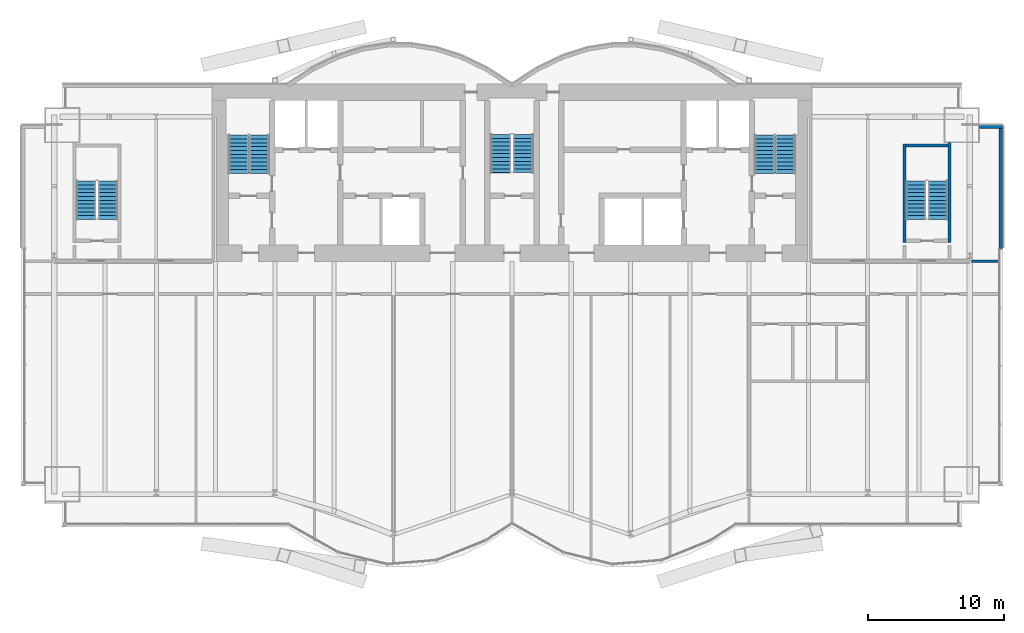
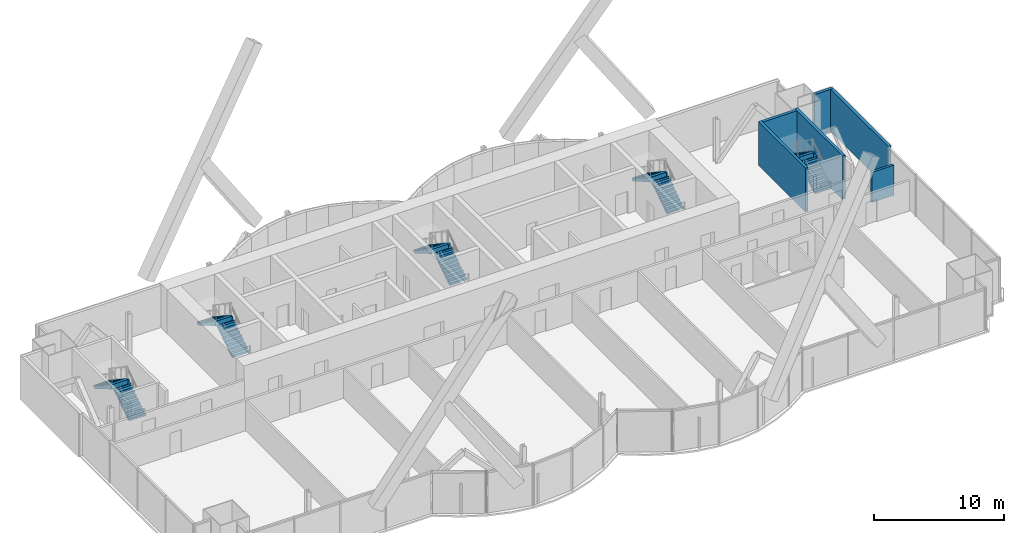
# One storey, part 19 of 22: 10 stair flights, 6 walls, 5 elements without a shape of their own.
"""IFC4 building model written with IfcOpenShell, lengths in metres."""

from ifc_helpers import new_model, si_unit, direction, frame, frame_2d, origin, place, context, subcontext, project, spatial, polyline, rectangle, outline, extrude, material, layer, layer_set, layer_usage, type_object, element, aggregate, save


model = new_model("IFC4")

# Units and contexts
model_context = context("Model", 3, precision=1e-05, world=origin(), true_north=direction((0.0, 1.0)))
body_context = subcontext(model_context, "Body", "Model", "MODEL_VIEW")
ifc_project = project(units=[si_unit("LENGTHUNIT", "METRE"), si_unit("AREAUNIT", "SQUARE_METRE"), si_unit("VOLUMEUNIT", "CUBIC_METRE"), si_unit("PLANEANGLEUNIT", "RADIAN"), si_unit("MASSUNIT", "GRAM", prefix="KILO")], contexts=[model_context])

# Site, building, storey
site_placement = place(None, origin())
site = spatial("IfcSite", under=ifc_project, at=site_placement, CompositionType="ELEMENT")
building_placement = place(site_placement, origin())
building = spatial("IfcBuilding", under=site, at=building_placement, Name="Bicima Exchange Tower", CompositionType="ELEMENT")
storey_placement = place(building_placement, frame((0.0, 0.0, 203.199951171875)))
storey = spatial("IfcBuildingStorey", under=building, at=storey_placement, Name="L45", CompositionType="ELEMENT", Elevation=203.199951171875)

# Walls
ifc_material_1 = material(Name="Gypsum board partition")
ifc_layer_1 = layer(ifc_material_1, 0.199951171875)
ifc_layer_set_1 = layer_set([ifc_layer_1], Name="Gypsum board partition")
wall_type_1 = type_object("IfcWallType", Name="Fire-rated gypsum partition 200 EI60", PredefinedType="PARTITIONING", material=ifc_layer_set_1)
wall_1_placement = place(storey_placement, frame((33.719970703125, -13.0, 0.0), z_axis=(0.0, 0.0, 1.0), x_axis=(1.0, 0.0, 0.0)))
element("IfcWall", 1, at=wall_1_placement, inside=storey, type_object=wall_type_1, Name="partition wall 7", PredefinedType="PARTITIONING", context=body_context, shape_type="SweptSolid", body=[
    extrude(rectangle(XDim=1.9599609375, YDim=0.199951171875, at=frame_2d((0.97998046875, 0.0))), origin(), (0.0, 0.0, 1.0), 2.84033203125),
])
ifc_material_2 = material(Name="Concrete C50/60", Category="concrete")
ifc_layer_2 = layer(ifc_material_2, 0.25)
ifc_layer_set_2 = layer_set([ifc_layer_2], Name="Concrete C50/60")
wall_type_2 = type_object("IfcWallType", Name="RC stair enclosure wall 250 C50/60", PredefinedType="SHEAR", material=ifc_layer_set_2)
wall_2_placement = place(storey_placement, frame((28.800048828125, -11.625, 0.0), z_axis=(0.0, 0.0, 1.0), x_axis=(0.0, 1.0, 0.0)))
element("IfcWall", 2, at=wall_2_placement, inside=storey, type_object=wall_type_2, Name="East end exit stair wall W", PredefinedType="SHEAR", context=body_context, shape_type="SweptSolid", body=[
    extrude(rectangle(XDim=7.25, YDim=0.25, at=frame_2d((3.625, 0.0))), origin(), (0.0, 0.0, 1.0), 4.10009765625),
])
wall_3_placement = place(storey_placement, frame((32.10009765625, -11.625, 0.0), z_axis=(0.0, 0.0, 1.0), x_axis=(0.0, 1.0, 0.0)))
element("IfcWall", 3, at=wall_3_placement, inside=storey, type_object=wall_type_2, Name="East end exit stair wall E", PredefinedType="SHEAR", context=body_context, shape_type="SweptSolid", body=[
    extrude(rectangle(XDim=7.324951171875, YDim=0.25, at=frame_2d((3.66259765625, 0.0))), origin(), (0.0, 0.0, 1.0), 4.10009765625),
])
wall_4_placement = place(storey_placement, frame((28.925048828125, -4.5, 0.0), z_axis=(0.0, 0.0, 1.0), x_axis=(1.0, 0.0, 0.0)))
element("IfcWall", 4, at=wall_4_placement, inside=storey, type_object=wall_type_2, Name="East end exit stair wall N", PredefinedType="SHEAR", context=body_context, shape_type="SweptSolid", body=[
    extrude(rectangle(XDim=3.050048828125, YDim=0.25, at=frame_2d((1.52490234375, 0.0))), origin(), (0.0, 0.0, 1.0), 4.10009765625),
])
ifc_material_3 = material(Name="Concrete C40/50", Category="concrete")
ifc_layer_3 = layer(ifc_material_3, 0.25)
ifc_layer_set_3 = layer_set([ifc_layer_3], Name="Concrete C40/50")
ifc_layer_usage = layer_usage(ifc_layer_set_3, "AXIS2", "POSITIVE", -0.125)
wall_type_3 = type_object("IfcWallType", Name="Rear backup wall 250", PredefinedType="STANDARD", material=ifc_layer_set_3)
wall_5_placement = place(storey_placement, frame((35.875, -12.090087890625, 0.0), z_axis=(0.0, 0.0, 1.0), x_axis=(0.0, 1.0, 0.0)))
element("IfcWall", 5, at=wall_5_placement, inside=storey, type_object=wall_type_3, material=ifc_layer_usage, Name="Rear backup wall L45 50", PredefinedType="STANDARD", context=body_context, shape_type="SweptSolid", body=[
    extrude(rectangle(XDim=9.090087890625, YDim=0.25, at=frame_2d((4.544921875, 0.0))), origin(), (0.0, 0.0, 1.0), 3.949951171875),
])
wall_6_placement = place(storey_placement, frame((36.0, -3.125, 0.0), z_axis=(0.0, 0.0, 1.0), x_axis=(-1.0, 0.0, 0.0)))
element("IfcWall", 6, at=wall_6_placement, inside=storey, type_object=wall_type_3, material=ifc_layer_usage, Name="Rear backup wall L45 51", PredefinedType="STANDARD", context=body_context, shape_type="SweptSolid", body=[
    extrude(rectangle(XDim=1.699951171875, YDim=0.25, at=frame_2d((0.85009765625, 0.0))), origin(), (0.0, 0.0, 1.0), 3.949951171875),
])

# Stair, stair flights
stair_type_1 = type_object("IfcStairType", Name="Exit stair", PredefinedType="HALF_TURN_STAIR", material=ifc_material_2)
stair_1_placement = place(storey_placement, origin())
stair_1 = element("IfcStair", 7, at=stair_1_placement, inside=storey, type_object=stair_type_1, Name="L45 West exit stair", PredefinedType="HALF_TURN_STAIR")
stair_flight_type_1 = type_object("IfcStairFlightType", Name="Stair flight RC", PredefinedType="STRAIGHT", material=ifc_material_2)
stair_flight_1_placement = place(storey_placement, frame((-18.52490234375, -6.550048828125, 0.0), z_axis=(0.0, 0.0, 1.0), x_axis=(0.0, 1.0, 0.0)))
stair_flight_1 = element("IfcStairFlight", 8, at=stair_flight_1_placement, type_object=stair_flight_type_1, Name="ST-W flight 1", NumberOfRisers=11, NumberOfTreads=10, PredefinedType="STRAIGHT", RiserHeight=0.186363636, TreadLength=0.28, context=body_context, shape_type="SweptSolid", body=[
    extrude(outline(polyline([(0.0, 0.0), (0.0, 0.186279296875), (0.280029296875, 0.186279296875), (0.280029296875, 0.372802734375), (0.56005859375, 0.372802734375), (0.56005859375, 0.55908203125), (0.840087890625, 0.55908203125), (0.840087890625, 0.745361328125), (1.1201171875, 0.745361328125), (1.1201171875, 0.931884765625), (1.39990234375, 0.931884765625), (1.39990234375, 1.1181640625), (1.679931640625, 1.1181640625), (1.679931640625, 1.304443359375), (1.9599609375, 1.304443359375), (1.9599609375, 1.490966796875), (2.239990234375, 1.490966796875), (2.239990234375, 1.67724609375), (2.52001953125, 1.67724609375), (2.52001953125, 1.863525390625), (2.800048828125, 1.863525390625), (2.800048828125, 2.050048828125), (2.800048828125, 1.68359375), (0.2705078125, 0.0), (0.0, 0.0)])), frame((0.0, 0.72509765625, 0.0), z_axis=(0.0, -1.0, 0.0), x_axis=(1.0, 0.0, 0.0)), (0.0, 0.0, 1.0), 1.449951171875),
])
stair_flight_2_placement = place(storey_placement, frame((-20.074951171875, -3.75, 2.050048828125), z_axis=(0.0, 0.0, 1.0), x_axis=(0.0, -1.0, 0.0)))
stair_flight_2 = element("IfcStairFlight", 9, at=stair_flight_2_placement, type_object=stair_flight_type_1, Name="ST-W flight 2", NumberOfRisers=11, NumberOfTreads=10, PredefinedType="STRAIGHT", RiserHeight=0.186363636, TreadLength=0.28, context=body_context, shape_type="SweptSolid", body=[
    extrude(outline(polyline([(0.0, 0.0), (0.0, 0.186279296875), (0.280029296875, 0.186279296875), (0.280029296875, 0.372802734375), (0.56005859375, 0.372802734375), (0.56005859375, 0.55908203125), (0.840087890625, 0.55908203125), (0.840087890625, 0.745361328125), (1.1201171875, 0.745361328125), (1.1201171875, 0.931884765625), (1.39990234375, 0.931884765625), (1.39990234375, 1.1181640625), (1.679931640625, 1.1181640625), (1.679931640625, 1.304443359375), (1.9599609375, 1.304443359375), (1.9599609375, 1.490966796875), (2.239990234375, 1.490966796875), (2.239990234375, 1.67724609375), (2.52001953125, 1.67724609375), (2.52001953125, 1.863525390625), (2.800048828125, 1.863525390625), (2.800048828125, 1.904052734375), (2.81494140625, 1.904052734375), (2.81494140625, 1.507080078125), (0.2705078125, 0.0), (0.0, 0.0)])), frame((0.0, 0.72509765625, 0.0), z_axis=(0.0, -1.0, 0.0), x_axis=(1.0, 0.0, 0.0)), (0.0, 0.0, 1.0), 1.449951171875),
])
aggregate(stair_1, [stair_flight_1, stair_flight_2])

stair_2_placement = place(storey_placement, origin())
stair_2 = element("IfcStair", 10, at=stair_2_placement, inside=storey, type_object=stair_type_1, Name="L45 East exit stair", PredefinedType="HALF_TURN_STAIR")
stair_flight_3_placement = place(storey_placement, frame((20.074951171875, -6.550048828125, 0.0), z_axis=(0.0, 0.0, 1.0), x_axis=(0.0, 1.0, 0.0)))
stair_flight_3 = element("IfcStairFlight", 11, at=stair_flight_3_placement, type_object=stair_flight_type_1, Name="ST-E flight 1", NumberOfRisers=11, NumberOfTreads=10, PredefinedType="STRAIGHT", RiserHeight=0.186363636, TreadLength=0.28, context=body_context, shape_type="SweptSolid", body=[
    extrude(outline(polyline([(0.0, 0.0), (0.0, 0.186279296875), (0.280029296875, 0.186279296875), (0.280029296875, 0.372802734375), (0.56005859375, 0.372802734375), (0.56005859375, 0.55908203125), (0.840087890625, 0.55908203125), (0.840087890625, 0.745361328125), (1.1201171875, 0.745361328125), (1.1201171875, 0.931884765625), (1.39990234375, 0.931884765625), (1.39990234375, 1.1181640625), (1.679931640625, 1.1181640625), (1.679931640625, 1.304443359375), (1.9599609375, 1.304443359375), (1.9599609375, 1.490966796875), (2.239990234375, 1.490966796875), (2.239990234375, 1.67724609375), (2.52001953125, 1.67724609375), (2.52001953125, 1.863525390625), (2.800048828125, 1.863525390625), (2.800048828125, 2.050048828125), (2.800048828125, 1.68359375), (0.2705078125, 0.0), (0.0, 0.0)])), frame((0.0, 0.72509765625, 0.0), z_axis=(0.0, -1.0, 0.0), x_axis=(1.0, 0.0, 0.0)), (0.0, 0.0, 1.0), 1.449951171875),
])
stair_flight_4_placement = place(storey_placement, frame((18.52490234375, -3.75, 2.050048828125), z_axis=(0.0, 0.0, 1.0), x_axis=(0.0, -1.0, 0.0)))
stair_flight_4 = element("IfcStairFlight", 12, at=stair_flight_4_placement, type_object=stair_flight_type_1, Name="ST-E flight 2", NumberOfRisers=11, NumberOfTreads=10, PredefinedType="STRAIGHT", RiserHeight=0.186363636, TreadLength=0.28, context=body_context, shape_type="SweptSolid", body=[
    extrude(outline(polyline([(0.0, 0.0), (0.0, 0.186279296875), (0.280029296875, 0.186279296875), (0.280029296875, 0.372802734375), (0.56005859375, 0.372802734375), (0.56005859375, 0.55908203125), (0.840087890625, 0.55908203125), (0.840087890625, 0.745361328125), (1.1201171875, 0.745361328125), (1.1201171875, 0.931884765625), (1.39990234375, 0.931884765625), (1.39990234375, 1.1181640625), (1.679931640625, 1.1181640625), (1.679931640625, 1.304443359375), (1.9599609375, 1.304443359375), (1.9599609375, 1.490966796875), (2.239990234375, 1.490966796875), (2.239990234375, 1.67724609375), (2.52001953125, 1.67724609375), (2.52001953125, 1.863525390625), (2.800048828125, 1.863525390625), (2.800048828125, 1.904052734375), (2.81494140625, 1.904052734375), (2.81494140625, 1.507080078125), (0.2705078125, 0.0), (0.0, 0.0)])), frame((0.0, 0.72509765625, 0.0), z_axis=(0.0, -1.0, 0.0), x_axis=(1.0, 0.0, 0.0)), (0.0, 0.0, 1.0), 1.449951171875),
])
aggregate(stair_2, [stair_flight_3, stair_flight_4])

stair_3_placement = place(storey_placement, origin())
stair_3 = element("IfcStair", 13, at=stair_3_placement, inside=storey, type_object=stair_type_1, Name="L45 West end exit stair", PredefinedType="HALF_TURN_STAIR")
stair_flight_5_placement = place(storey_placement, frame((-29.64990234375, -9.925048828125, 0.0), z_axis=(0.0, 0.0, 1.0), x_axis=(0.0, 1.0, 0.0)))
stair_flight_5 = element("IfcStairFlight", 14, at=stair_flight_5_placement, type_object=stair_flight_type_1, Name="ST-WW flight 1", NumberOfRisers=11, NumberOfTreads=10, PredefinedType="STRAIGHT", RiserHeight=0.186363636, TreadLength=0.28, context=body_context, shape_type="SweptSolid", body=[
    extrude(outline(polyline([(0.0, 0.0), (0.0, 0.186279296875), (0.280029296875, 0.186279296875), (0.280029296875, 0.372802734375), (0.56005859375, 0.372802734375), (0.56005859375, 0.55908203125), (0.840087890625, 0.55908203125), (0.840087890625, 0.745361328125), (1.1201171875, 0.745361328125), (1.1201171875, 0.931884765625), (1.39990234375, 0.931884765625), (1.39990234375, 1.1181640625), (1.679931640625, 1.1181640625), (1.679931640625, 1.304443359375), (1.9599609375, 1.304443359375), (1.9599609375, 1.490966796875), (2.239990234375, 1.490966796875), (2.239990234375, 1.67724609375), (2.52001953125, 1.67724609375), (2.52001953125, 1.863525390625), (2.800048828125, 1.863525390625), (2.800048828125, 2.050048828125), (2.800048828125, 1.68359375), (0.2705078125, 0.0), (0.0, 0.0)])), frame((0.0, 0.72509765625, 0.0), z_axis=(0.0, -1.0, 0.0), x_axis=(1.0, 0.0, 0.0)), (0.0, 0.0, 1.0), 1.449951171875),
])
stair_flight_6_placement = place(storey_placement, frame((-31.25, -7.125, 2.050048828125), z_axis=(0.0, 0.0, 1.0), x_axis=(0.0, -1.0, 0.0)))
stair_flight_6 = element("IfcStairFlight", 15, at=stair_flight_6_placement, type_object=stair_flight_type_1, Name="ST-WW flight 2", NumberOfRisers=11, NumberOfTreads=10, PredefinedType="STRAIGHT", RiserHeight=0.186363636, TreadLength=0.28, context=body_context, shape_type="SweptSolid", body=[
    extrude(outline(polyline([(0.0, 0.0), (0.0, 0.186279296875), (0.280029296875, 0.186279296875), (0.280029296875, 0.372802734375), (0.56005859375, 0.372802734375), (0.56005859375, 0.55908203125), (0.840087890625, 0.55908203125), (0.840087890625, 0.745361328125), (1.1201171875, 0.745361328125), (1.1201171875, 0.931884765625), (1.39990234375, 0.931884765625), (1.39990234375, 1.1181640625), (1.679931640625, 1.1181640625), (1.679931640625, 1.304443359375), (1.9599609375, 1.304443359375), (1.9599609375, 1.490966796875), (2.239990234375, 1.490966796875), (2.239990234375, 1.67724609375), (2.52001953125, 1.67724609375), (2.52001953125, 1.863525390625), (2.800048828125, 1.863525390625), (2.800048828125, 1.904052734375), (2.81494140625, 1.904052734375), (2.81494140625, 1.507080078125), (0.2705078125, 0.0), (0.0, 0.0)])), frame((0.0, 0.72509765625, 0.0), z_axis=(0.0, -1.0, 0.0), x_axis=(1.0, 0.0, 0.0)), (0.0, 0.0, 1.0), 1.449951171875),
])
aggregate(stair_3, [stair_flight_5, stair_flight_6])

stair_4_placement = place(storey_placement, origin())
stair_4 = element("IfcStair", 16, at=stair_4_placement, inside=storey, type_object=stair_type_1, Name="L45 East end exit stair", PredefinedType="HALF_TURN_STAIR")
stair_flight_7_placement = place(storey_placement, frame((31.25, -9.925048828125, 0.0), z_axis=(0.0, 0.0, 1.0), x_axis=(0.0, 1.0, 0.0)))
stair_flight_7 = element("IfcStairFlight", 17, at=stair_flight_7_placement, type_object=stair_flight_type_1, Name="ST-EE flight 1", NumberOfRisers=11, NumberOfTreads=10, PredefinedType="STRAIGHT", RiserHeight=0.186363636, TreadLength=0.28, context=body_context, shape_type="SweptSolid", body=[
    extrude(outline(polyline([(0.0, 0.0), (0.0, 0.186279296875), (0.280029296875, 0.186279296875), (0.280029296875, 0.372802734375), (0.56005859375, 0.372802734375), (0.56005859375, 0.55908203125), (0.840087890625, 0.55908203125), (0.840087890625, 0.745361328125), (1.1201171875, 0.745361328125), (1.1201171875, 0.931884765625), (1.39990234375, 0.931884765625), (1.39990234375, 1.1181640625), (1.679931640625, 1.1181640625), (1.679931640625, 1.304443359375), (1.9599609375, 1.304443359375), (1.9599609375, 1.490966796875), (2.239990234375, 1.490966796875), (2.239990234375, 1.67724609375), (2.52001953125, 1.67724609375), (2.52001953125, 1.863525390625), (2.800048828125, 1.863525390625), (2.800048828125, 2.050048828125), (2.800048828125, 1.68359375), (0.2705078125, 0.0), (0.0, 0.0)])), frame((0.0, 0.72509765625, 0.0), z_axis=(0.0, -1.0, 0.0), x_axis=(1.0, 0.0, 0.0)), (0.0, 0.0, 1.0), 1.449951171875),
])
stair_flight_8_placement = place(storey_placement, frame((29.64990234375, -7.125, 2.050048828125), z_axis=(0.0, 0.0, 1.0), x_axis=(0.0, -1.0, 0.0)))
stair_flight_8 = element("IfcStairFlight", 18, at=stair_flight_8_placement, type_object=stair_flight_type_1, Name="ST-EE flight 2", NumberOfRisers=11, NumberOfTreads=10, PredefinedType="STRAIGHT", RiserHeight=0.186363636, TreadLength=0.28, context=body_context, shape_type="SweptSolid", body=[
    extrude(outline(polyline([(0.0, 0.0), (0.0, 0.186279296875), (0.280029296875, 0.186279296875), (0.280029296875, 0.372802734375), (0.56005859375, 0.372802734375), (0.56005859375, 0.55908203125), (0.840087890625, 0.55908203125), (0.840087890625, 0.745361328125), (1.1201171875, 0.745361328125), (1.1201171875, 0.931884765625), (1.39990234375, 0.931884765625), (1.39990234375, 1.1181640625), (1.679931640625, 1.1181640625), (1.679931640625, 1.304443359375), (1.9599609375, 1.304443359375), (1.9599609375, 1.490966796875), (2.239990234375, 1.490966796875), (2.239990234375, 1.67724609375), (2.52001953125, 1.67724609375), (2.52001953125, 1.863525390625), (2.800048828125, 1.863525390625), (2.800048828125, 1.904052734375), (2.81494140625, 1.904052734375), (2.81494140625, 1.507080078125), (0.2705078125, 0.0), (0.0, 0.0)])), frame((0.0, 0.72509765625, 0.0), z_axis=(0.0, -1.0, 0.0), x_axis=(1.0, 0.0, 0.0)), (0.0, 0.0, 1.0), 1.449951171875),
])
aggregate(stair_4, [stair_flight_7, stair_flight_8])

stair_type_2 = type_object("IfcStairType", Name="Exit stair 1500", PredefinedType="HALF_TURN_STAIR", material=ifc_material_2)
stair_5_placement = place(storey_placement, origin())
stair_5 = element("IfcStair", 19, at=stair_5_placement, inside=storey, type_object=stair_type_2, Name="L45 Central exit stair", PredefinedType="HALF_TURN_STAIR")
stair_flight_type_2 = type_object("IfcStairFlightType", Name="Stair flight RC 1500", PredefinedType="STRAIGHT", material=ifc_material_2)
stair_flight_9_placement = place(storey_placement, frame((0.824951171875, -6.5, 0.0), z_axis=(0.0, 0.0, 1.0), x_axis=(0.0, 1.0, 0.0)))
stair_flight_9 = element("IfcStairFlight", 20, at=stair_flight_9_placement, type_object=stair_flight_type_2, Name="ST-C flight 1", NumberOfRisers=11, NumberOfTreads=10, PredefinedType="STRAIGHT", RiserHeight=0.186363636, TreadLength=0.28, context=body_context, shape_type="SweptSolid", body=[
    extrude(outline(polyline([(0.0, 0.0), (0.0, 0.186279296875), (0.280029296875, 0.186279296875), (0.280029296875, 0.372802734375), (0.56005859375, 0.372802734375), (0.56005859375, 0.55908203125), (0.840087890625, 0.55908203125), (0.840087890625, 0.745361328125), (1.1201171875, 0.745361328125), (1.1201171875, 0.931884765625), (1.39990234375, 0.931884765625), (1.39990234375, 1.1181640625), (1.679931640625, 1.1181640625), (1.679931640625, 1.304443359375), (1.9599609375, 1.304443359375), (1.9599609375, 1.490966796875), (2.239990234375, 1.490966796875), (2.239990234375, 1.67724609375), (2.52001953125, 1.67724609375), (2.52001953125, 1.863525390625), (2.800048828125, 1.863525390625), (2.800048828125, 2.050048828125), (2.800048828125, 1.68359375), (0.2705078125, 0.0), (0.0, 0.0)])), frame((0.0, 0.75, 0.0), z_axis=(0.0, -1.0, 0.0), x_axis=(1.0, 0.0, 0.0)), (0.0, 0.0, 1.0), 1.5),
])
stair_flight_10_placement = place(storey_placement, frame((-0.824951171875, -3.699951171875, 2.050048828125), z_axis=(0.0, 0.0, 1.0), x_axis=(0.0, -1.0, 0.0)))
stair_flight_10 = element("IfcStairFlight", 21, at=stair_flight_10_placement, type_object=stair_flight_type_2, Name="ST-C flight 2", NumberOfRisers=11, NumberOfTreads=10, PredefinedType="STRAIGHT", RiserHeight=0.186363636, TreadLength=0.28, context=body_context, shape_type="SweptSolid", body=[
    extrude(outline(polyline([(0.0, 0.0), (0.0, 0.186279296875), (0.280029296875, 0.186279296875), (0.280029296875, 0.372802734375), (0.56005859375, 0.372802734375), (0.56005859375, 0.55908203125), (0.840087890625, 0.55908203125), (0.840087890625, 0.745361328125), (1.1201171875, 0.745361328125), (1.1201171875, 0.931884765625), (1.39990234375, 0.931884765625), (1.39990234375, 1.1181640625), (1.679931640625, 1.1181640625), (1.679931640625, 1.304443359375), (1.9599609375, 1.304443359375), (1.9599609375, 1.490966796875), (2.239990234375, 1.490966796875), (2.239990234375, 1.67724609375), (2.52001953125, 1.67724609375), (2.52001953125, 1.863525390625), (2.800048828125, 1.863525390625), (2.800048828125, 1.904052734375), (2.81494140625, 1.904052734375), (2.81494140625, 1.507080078125), (0.2705078125, 0.0), (0.0, 0.0)])), frame((0.0, 0.75, 0.0), z_axis=(0.0, -1.0, 0.0), x_axis=(1.0, 0.0, 0.0)), (0.0, 0.0, 1.0), 1.5),
])
aggregate(stair_5, [stair_flight_9, stair_flight_10])

save(model, "model.ifc")
